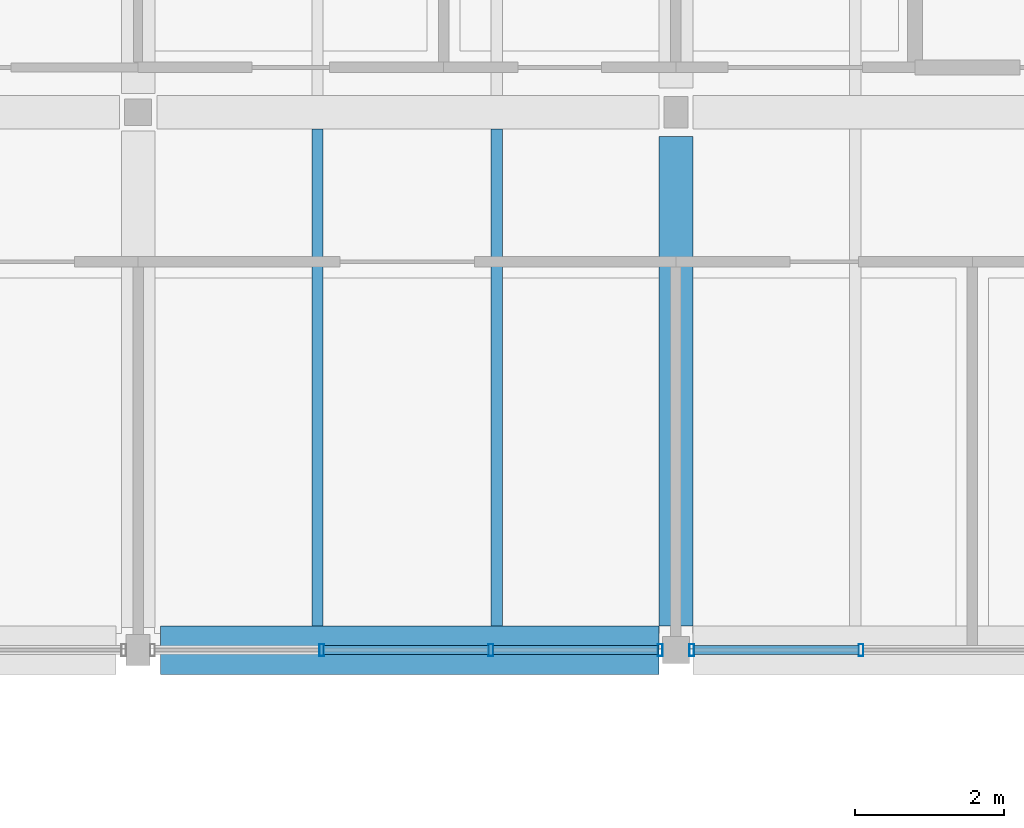
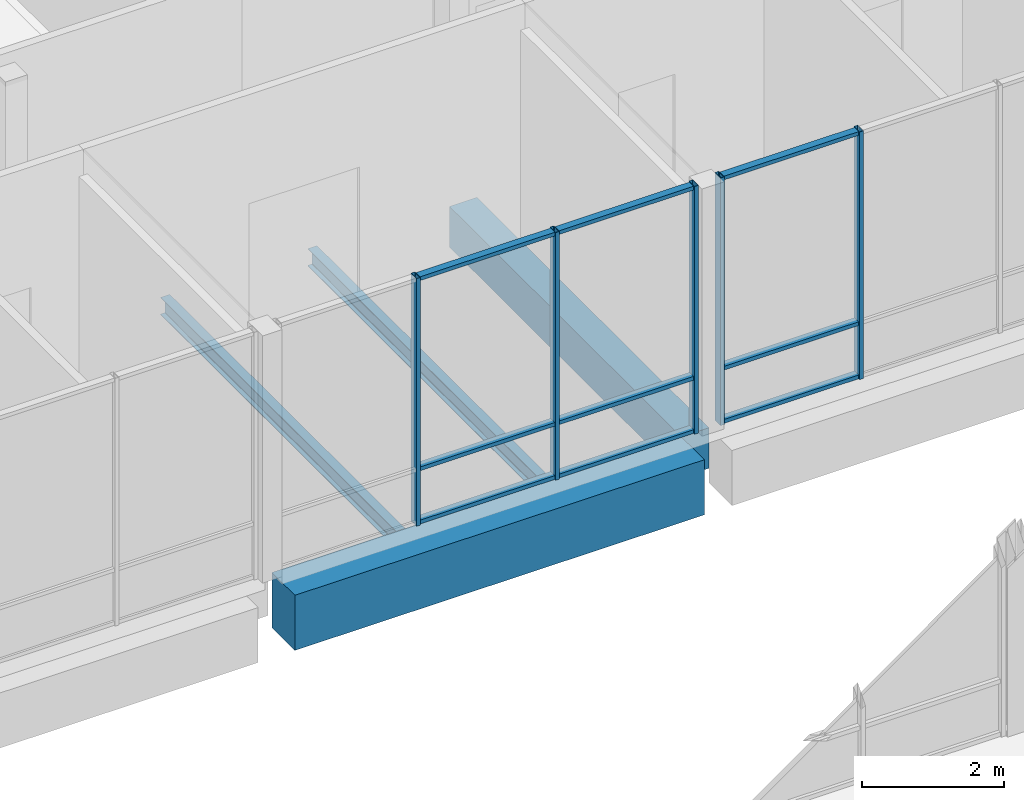
# One storey, part 47 of 146: 14 members, 4 beams, 2 elements without a shape of their own.
"""IFC4 building model written with IfcOpenShell, lengths in metres."""

from ifc_helpers import new_model, si_unit, direction, frame, origin, origin_2d, place, context, subcontext, project, spatial, rectangle, hollow_rectangle, i_section, extrude, material, material_profile, profile_set, type_object, element, aggregate, save


model = new_model("IFC4")

# Units and contexts
model_context = context("Model", 3, precision=1e-05, world=origin(), true_north=direction((0.0, 1.0)))
body_context = subcontext(model_context, "Body", "Model", "MODEL_VIEW")
ifc_project = project(units=[si_unit("LENGTHUNIT", "METRE"), si_unit("AREAUNIT", "SQUARE_METRE"), si_unit("VOLUMEUNIT", "CUBIC_METRE"), si_unit("PLANEANGLEUNIT", "RADIAN"), si_unit("MASSUNIT", "GRAM", prefix="KILO")], contexts=[model_context])

# Site, building, storey
site_placement = place(None, origin())
site = spatial("IfcSite", under=ifc_project, at=site_placement, CompositionType="ELEMENT")
building_placement = place(site_placement, origin())
building = spatial("IfcBuilding", under=site, at=building_placement, Name="Hawrajan Terrace Health Centre", CompositionType="ELEMENT")
storey_placement = place(building_placement, frame((0.0, 0.0, 4.5)))
storey = spatial("IfcBuildingStorey", under=building, at=storey_placement, Name="L01", CompositionType="ELEMENT", Elevation=4.5)

# Curtain wall, members
ifc_material_1 = material(Name="Anodized bronze aluminium and low-E solar glazing", Category="aluminium")
curtain_wall_type_1 = type_object("IfcCurtainWallType", Name="CW_Clerestory_SeriesG3", PredefinedType="USERDEFINED", material=ifc_material_1)
curtain_wall_1_placement = place(storey_placement, origin())
curtain_wall_1 = element("IfcCurtainWall", 1, at=curtain_wall_1_placement, inside=storey, type_object=curtain_wall_type_1, Name="Curtain wall CW-L01-066", ObjectType="UNITISED CURTAIN WALL", PredefinedType="USERDEFINED")
ifc_material_2 = material(Name="Anodized bronze aluminium 6063-T6", Category="aluminium")
ifc_material_profile_1 = material_profile(ifc_material_2, hollow_rectangle(XDim=0.06494140625, YDim=0.159912109375, WallThickness=0.00390625, at=origin_2d()), Name="CW MUL 65x160")
ifc_profile_set_1 = profile_set([ifc_material_profile_1], Name="Anodized bronze aluminium 6063-T6")
member_type_1 = type_object("IfcMemberType", Name="CWMullion_65x160", PredefinedType="MULLION", material=ifc_profile_set_1)
member_1_placement = place(storey_placement, frame((35.857421875, 45.39990234375, -0.0048828125), z_axis=(0.0, 0.0, 1.0), x_axis=(1.0, 0.0, 0.0)))
member_1 = element("IfcMember", 2, at=member_1_placement, type_object=member_type_1, Name="Mullion CW-L01-066-M2", PredefinedType="MULLION", context=body_context, shape_type="SweptSolid", body=[
    extrude(hollow_rectangle(XDim=0.06494140625, YDim=0.159912109375, WallThickness=0.00390625, at=origin_2d()), origin(), (0.0, 0.0, 1.0), 4.269775390625),
])
member_2_placement = place(storey_placement, frame((38.12255859375, 45.39990234375, -0.0048828125), z_axis=(0.0, 0.0, 1.0), x_axis=(1.0, 0.0, 0.0)))
member_2 = element("IfcMember", 3, at=member_2_placement, type_object=member_type_1, Name="Mullion CW-L01-066-M3", PredefinedType="MULLION", context=body_context, shape_type="SweptSolid", body=[
    extrude(hollow_rectangle(XDim=0.06494140625, YDim=0.159912109375, WallThickness=0.00390625, at=origin_2d()), origin(), (0.0, 0.0, 1.0), 4.269775390625),
])
member_3_placement = place(storey_placement, frame((40.387451171875, 45.39990234375, -0.0048828125), z_axis=(0.0, 0.0, 1.0), x_axis=(1.0, 0.0, 0.0)))
member_3 = element("IfcMember", 4, at=member_3_placement, type_object=member_type_1, Name="Mullion CW-L01-066-M4", PredefinedType="MULLION", context=body_context, shape_type="SweptSolid", body=[
    extrude(hollow_rectangle(XDim=0.06494140625, YDim=0.159912109375, WallThickness=0.00390625, at=origin_2d()), origin(), (0.0, 0.0, 1.0), 4.269775390625),
])

curtain_wall_type_2 = type_object("IfcCurtainWallType", Name="CW_Diagnostic_SeriesM2", PredefinedType="USERDEFINED", material=ifc_material_1)
curtain_wall_2_placement = place(storey_placement, origin())
curtain_wall_2 = element("IfcCurtainWall", 5, at=curtain_wall_2_placement, inside=storey, type_object=curtain_wall_type_2, Name="Curtain wall CW-L01-072", ObjectType="UNITISED CURTAIN WALL", PredefinedType="USERDEFINED")
member_4_placement = place(storey_placement, frame((40.8125, 45.39990234375, -0.0048828125), z_axis=(0.0, 0.0, 1.0), x_axis=(1.0, 0.0, 0.0)))
member_4 = element("IfcMember", 6, at=member_4_placement, type_object=member_type_1, Name="Mullion CW-L01-072-M1", PredefinedType="MULLION", context=body_context, shape_type="SweptSolid", body=[
    extrude(hollow_rectangle(XDim=0.06494140625, YDim=0.159912109375, WallThickness=0.00390625, at=origin_2d()), origin(), (0.0, 0.0, 1.0), 4.269775390625),
])
member_5_placement = place(storey_placement, frame((43.077392578125, 45.39990234375, -0.0048828125), z_axis=(0.0, 0.0, 1.0), x_axis=(1.0, 0.0, 0.0)))
member_5 = element("IfcMember", 7, at=member_5_placement, type_object=member_type_1, Name="Mullion CW-L01-072-M2", PredefinedType="MULLION", context=body_context, shape_type="SweptSolid", body=[
    extrude(hollow_rectangle(XDim=0.06494140625, YDim=0.159912109375, WallThickness=0.00390625, at=origin_2d()), origin(), (0.0, 0.0, 1.0), 4.269775390625),
])

# Member
ifc_material_profile_2 = material_profile(ifc_material_2, hollow_rectangle(XDim=0.06494140625, YDim=0.1201171875, WallThickness=0.00341796875, at=origin_2d()), Name="CW TRN 65x120")
ifc_profile_set_2 = profile_set([ifc_material_profile_2], Name="Anodized bronze aluminium 6063-T6")
member_type_2 = type_object("IfcMemberType", Name="CWTransom_65x120", PredefinedType="USERDEFINED", material=ifc_profile_set_2)
member_6_placement = place(storey_placement, frame((35.884033203125, 45.39990234375, 0.032470703125), z_axis=(1.0, 0.0, 0.0), x_axis=(0.0, 0.0, 1.0)))
member_6 = element("IfcMember", 8, at=member_6_placement, type_object=member_type_2, Name="Transom CW-L01-066-T2-1", ObjectType="TRANSOM", PredefinedType="USERDEFINED", context=body_context, shape_type="SweptSolid", body=[
    extrude(hollow_rectangle(XDim=0.06494140625, YDim=0.1201171875, WallThickness=0.00341796875, at=origin_2d()), origin(), (0.0, 0.0, 1.0), 2.2119140625),
])

member_7_placement = place(storey_placement, frame((35.884033203125, 45.39990234375, 0.949951171875), z_axis=(1.0, 0.0, 0.0), x_axis=(0.0, 0.0, 1.0)))
member_7 = element("IfcMember", 9, at=member_7_placement, type_object=member_type_2, Name="Transom CW-L01-066-T2-2", ObjectType="TRANSOM", PredefinedType="USERDEFINED", context=body_context, shape_type="SweptSolid", body=[
    extrude(hollow_rectangle(XDim=0.06494140625, YDim=0.1201171875, WallThickness=0.00341796875, at=origin_2d()), origin(), (0.0, 0.0, 1.0), 2.2119140625),
])

member_8_placement = place(storey_placement, frame((35.884033203125, 45.39990234375, 4.2275390625), z_axis=(1.0, 0.0, 0.0), x_axis=(0.0, 0.0, 1.0)))
member_8 = element("IfcMember", 10, at=member_8_placement, type_object=member_type_2, Name="Transom CW-L01-066-T2-3", ObjectType="TRANSOM", PredefinedType="USERDEFINED", context=body_context, shape_type="SweptSolid", body=[
    extrude(hollow_rectangle(XDim=0.06494140625, YDim=0.1201171875, WallThickness=0.00341796875, at=origin_2d()), origin(), (0.0, 0.0, 1.0), 2.2119140625),
])

member_9_placement = place(storey_placement, frame((38.14892578125, 45.39990234375, 0.032470703125), z_axis=(1.0, 0.0, 0.0), x_axis=(0.0, 0.0, 1.0)))
member_9 = element("IfcMember", 11, at=member_9_placement, type_object=member_type_2, Name="Transom CW-L01-066-T3-1", ObjectType="TRANSOM", PredefinedType="USERDEFINED", context=body_context, shape_type="SweptSolid", body=[
    extrude(hollow_rectangle(XDim=0.06494140625, YDim=0.1201171875, WallThickness=0.00341796875, at=origin_2d()), origin(), (0.0, 0.0, 1.0), 2.212158203125),
])

member_10_placement = place(storey_placement, frame((38.14892578125, 45.39990234375, 0.949951171875), z_axis=(1.0, 0.0, 0.0), x_axis=(0.0, 0.0, 1.0)))
member_10 = element("IfcMember", 12, at=member_10_placement, type_object=member_type_2, Name="Transom CW-L01-066-T3-2", ObjectType="TRANSOM", PredefinedType="USERDEFINED", context=body_context, shape_type="SweptSolid", body=[
    extrude(hollow_rectangle(XDim=0.06494140625, YDim=0.1201171875, WallThickness=0.00341796875, at=origin_2d()), origin(), (0.0, 0.0, 1.0), 2.212158203125),
])

member_11_placement = place(storey_placement, frame((38.14892578125, 45.39990234375, 4.2275390625), z_axis=(1.0, 0.0, 0.0), x_axis=(0.0, 0.0, 1.0)))
member_11 = element("IfcMember", 13, at=member_11_placement, type_object=member_type_2, Name="Transom CW-L01-066-T3-3", ObjectType="TRANSOM", PredefinedType="USERDEFINED", context=body_context, shape_type="SweptSolid", body=[
    extrude(hollow_rectangle(XDim=0.06494140625, YDim=0.1201171875, WallThickness=0.00341796875, at=origin_2d()), origin(), (0.0, 0.0, 1.0), 2.212158203125),
])

aggregate(curtain_wall_1, [member_1, member_2, member_3, member_6, member_7, member_8, member_9, member_10, member_11])

member_12_placement = place(storey_placement, frame((40.839111328125, 45.39990234375, 0.032470703125), z_axis=(1.0, 0.0, 0.0), x_axis=(0.0, 0.0, 1.0)))
member_12 = element("IfcMember", 14, at=member_12_placement, type_object=member_type_2, Name="Transom CW-L01-072-T1-1", ObjectType="TRANSOM", PredefinedType="USERDEFINED", context=body_context, shape_type="SweptSolid", body=[
    extrude(hollow_rectangle(XDim=0.06494140625, YDim=0.1201171875, WallThickness=0.00341796875, at=origin_2d()), origin(), (0.0, 0.0, 1.0), 2.2119140625),
])

member_13_placement = place(storey_placement, frame((40.839111328125, 45.39990234375, 0.949951171875), z_axis=(1.0, 0.0, 0.0), x_axis=(0.0, 0.0, 1.0)))
member_13 = element("IfcMember", 15, at=member_13_placement, type_object=member_type_2, Name="Transom CW-L01-072-T1-2", ObjectType="TRANSOM", PredefinedType="USERDEFINED", context=body_context, shape_type="SweptSolid", body=[
    extrude(hollow_rectangle(XDim=0.06494140625, YDim=0.1201171875, WallThickness=0.00341796875, at=origin_2d()), origin(), (0.0, 0.0, 1.0), 2.2119140625),
])

member_14_placement = place(storey_placement, frame((40.839111328125, 45.39990234375, 4.2275390625), z_axis=(1.0, 0.0, 0.0), x_axis=(0.0, 0.0, 1.0)))
member_14 = element("IfcMember", 16, at=member_14_placement, type_object=member_type_2, Name="Transom CW-L01-072-T1-3", ObjectType="TRANSOM", PredefinedType="USERDEFINED", context=body_context, shape_type="SweptSolid", body=[
    extrude(hollow_rectangle(XDim=0.06494140625, YDim=0.1201171875, WallThickness=0.00341796875, at=origin_2d()), origin(), (0.0, 0.0, 1.0), 2.2119140625),
])

aggregate(curtain_wall_2, [member_4, member_5, member_12, member_13, member_14])

# Beams
ifc_material_3 = material(Name="Concrete C40/50", Category="concrete")
ifc_material_profile_3 = material_profile(ifc_material_3, rectangle(XDim=0.449951171875, YDim=0.699951171875, at=origin_2d()), Name="RC BM 450x700")
ifc_profile_set_3 = profile_set([ifc_material_profile_3], Name="Concrete C40/50")
beam_type_1 = type_object("IfcBeamType", Name="RCGirder_450x700", PredefinedType="BEAM", material=ifc_profile_set_3)
beam_1_placement = place(storey_placement, frame((40.60009765625, 45.72509765625, -0.64990234375), z_axis=(0.0, 1.0, 0.0), x_axis=(-1.0, 0.0, 0.0)))
element("IfcBeam", 17, at=beam_1_placement, inside=storey, type_object=beam_type_1, Name="Beam BM-Y-L01-W-X06-6", PredefinedType="BEAM", context=body_context, shape_type="SweptSolid", body=[
    extrude(rectangle(XDim=0.449951171875, YDim=0.699951171875, at=origin_2d()), origin(), (0.0, 0.0, 1.0), 6.5498046875),
])
ifc_material_profile_4 = material_profile(ifc_material_3, rectangle(XDim=0.64990234375, YDim=0.949951171875, at=origin_2d()), Name="RC TG 650x950")
ifc_profile_set_4 = profile_set([ifc_material_profile_4], Name="Concrete C40/50")
beam_type_2 = type_object("IfcBeamType", Name="RCTransferGirder_650x950", PredefinedType="BEAM", material=ifc_profile_set_4)
beam_2_placement = place(storey_placement, frame((33.699951171875, 45.39990234375, -0.77490234375), z_axis=(1.0, 0.0, 0.0), x_axis=(0.0, 1.0, 0.0)))
element("IfcBeam", 18, at=beam_2_placement, inside=storey, type_object=beam_type_2, Name="Beam BM-X-L01-W-05-Y6", PredefinedType="BEAM", context=body_context, shape_type="SweptSolid", body=[
    extrude(rectangle(XDim=0.64990234375, YDim=0.949951171875, at=origin_2d()), origin(), (0.0, 0.0, 1.0), 6.675048828125),
])
ifc_material_4 = material(Name="Steel S355", Category="steel")
ifc_material_profile_5 = material_profile(ifc_material_4, i_section(OverallWidth=0.14990234375, OverallDepth=0.300048828125, WebThickness=0.007080078125, FlangeThickness=0.0107421875, FilletRadius=0.014892578125, at=origin_2d()), Name="IPE 300")
ifc_profile_set_5 = profile_set([ifc_material_profile_5], Name="Steel S355")
beam_type_3 = type_object("IfcBeamType", Name="SteelBeam_IPE300", PredefinedType="JOIST", material=ifc_profile_set_5)
for number, where, z_axis, x_axis, name in (
    (19, (35.800048828125, 45.72509765625, -0.449951171875), (0.0, 1.0, 0.0), (-1.0, 0.0, 0.0), "Secondary joist JST-L01-W-05-6-1"),
    (20, (38.199951171875, 45.72509765625, -0.449951171875), (0.0, 1.0, 0.0), (-1.0, 0.0, 0.0), "Secondary joist JST-L01-W-05-6-2"),
):
    element("IfcBeam", number, at=place(storey_placement, frame(where, z_axis=z_axis, x_axis=x_axis)), inside=storey, type_object=beam_type_3, Name=name, PredefinedType="JOIST", context=body_context, shape_type="SweptSolid", body=[
        extrude(i_section(OverallWidth=0.14990234375, OverallDepth=0.300048828125, WebThickness=0.007080078125, FlangeThickness=0.0107421875, FilletRadius=0.014892578125, at=origin_2d()), origin(), (0.0, 0.0, 1.0), 6.64990234375),
    ])

save(model, "model.ifc")
